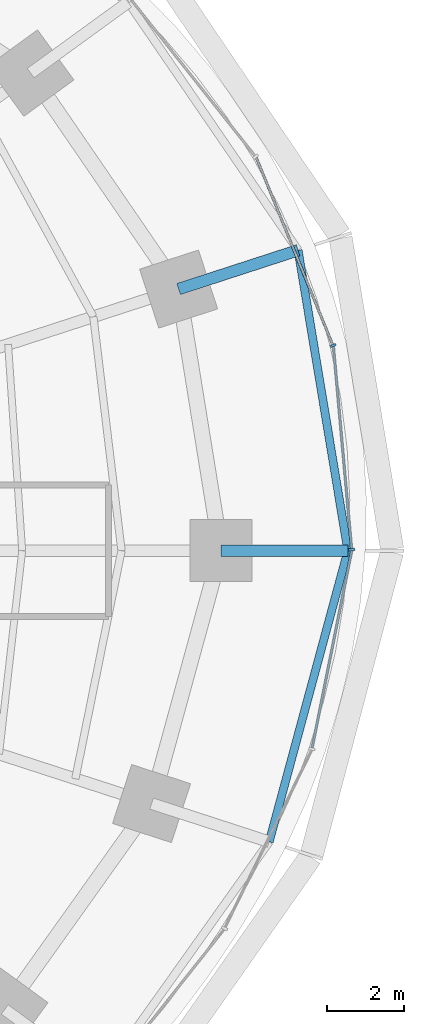
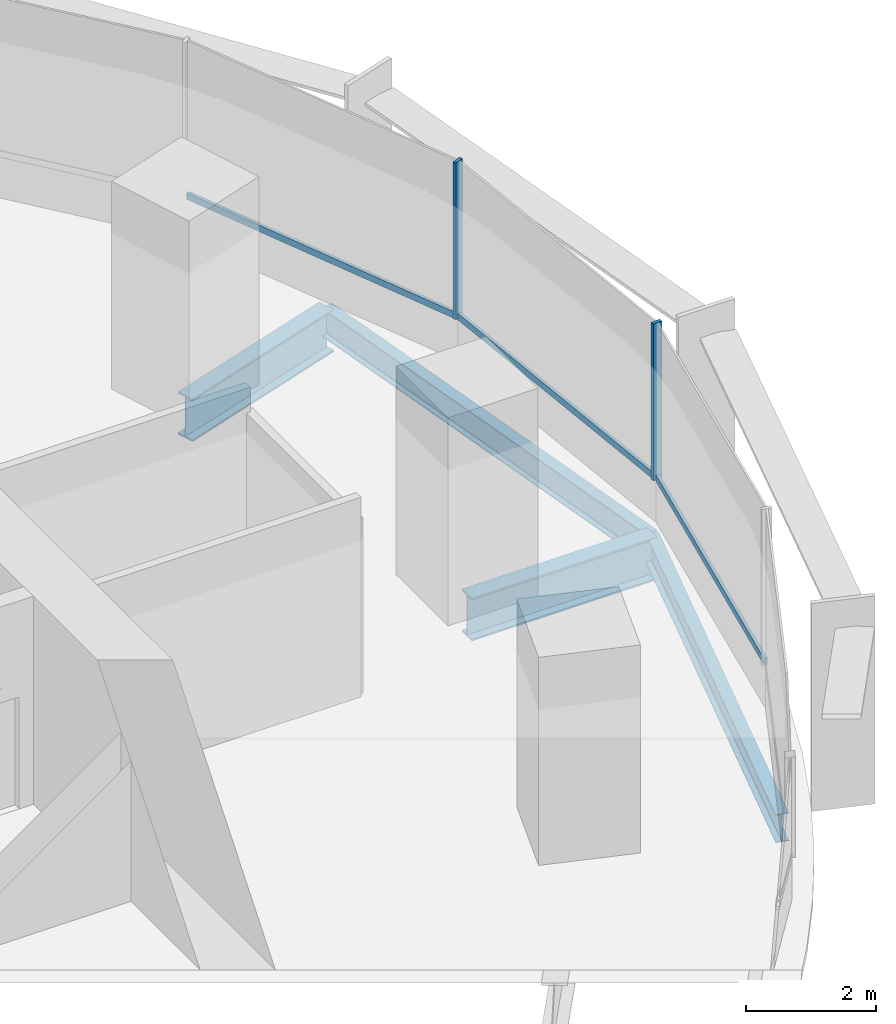
# One storey, part 6 of 14: 5 members, 4 beams, 2 elements without a shape of their own.
"""IFC4 building model written with IfcOpenShell, lengths in metres."""

from ifc_helpers import new_model, si_unit, direction, frame, origin, origin_2d, place, context, subcontext, project, spatial, rectangle, i_section, extrude, material, material_profile, profile_set, type_object, element, aggregate, save


model = new_model("IFC4")

# Units and contexts
model_context = context("Model", 3, precision=1e-05, world=origin(), true_north=direction((0.0, 1.0)))
body_context = subcontext(model_context, "Body", "Model", "MODEL_VIEW")
ifc_project = project(units=[si_unit("LENGTHUNIT", "METRE"), si_unit("AREAUNIT", "SQUARE_METRE"), si_unit("VOLUMEUNIT", "CUBIC_METRE"), si_unit("PLANEANGLEUNIT", "RADIAN"), si_unit("MASSUNIT", "GRAM", prefix="KILO")], contexts=[model_context])

# Site, building, storey
site_placement = place(None, origin())
site = spatial("IfcSite", under=ifc_project, at=site_placement, CompositionType="ELEMENT")
building_placement = place(site_placement, origin())
building = spatial("IfcBuilding", under=site, at=building_placement, Name="Marramba Exchange Tower", CompositionType="ELEMENT")
storey_placement = place(building_placement, frame((0.0, 0.0, 135.300048828125)))
storey = spatial("IfcBuildingStorey", under=building, at=storey_placement, Name="L32", CompositionType="ELEMENT", Elevation=135.300048828125)

# Beams
ifc_material_1 = material(Name="Steel AS/NZS 3679.2 grade 300", Category="steel")
ifc_material_profile_1 = material_profile(ifc_material_1, i_section(OverallWidth=0.300048828125, OverallDepth=0.800048828125, WebThickness=0.013916015625, FlangeThickness=0.031982421875, at=origin_2d()), Name="800WB192")
ifc_profile_set_1 = profile_set([ifc_material_profile_1], Name="Steel AS/NZS 3679.2 grade 300")
beam_type_1 = type_object("IfcBeamType", Name="Cantilever girder 800WB192", PredefinedType="BEAM", material=ifc_profile_set_1)
beam_1_placement = place(storey_placement, frame((21.89990234375, 0.0, -0.56005859375), z_axis=(1.0, 0.0, 0.0), x_axis=(0.0, 1.0, 0.0)))
element("IfcBeam", 1, at=beam_1_placement, inside=storey, type_object=beam_type_1, Name="Cantilever girder L32 TC01", PredefinedType="BEAM", context=body_context, shape_type="SweptSolid", body=[
    extrude(i_section(OverallWidth=0.300048828125, OverallDepth=0.800048828125, WebThickness=0.013916015625, FlangeThickness=0.031982421875, at=origin_2d()), origin(), (0.0, 0.0, 1.0), 3.281982421875),
])
beam_2_placement = place(storey_placement, frame((20.808349609375, 6.760986328125, -0.56005859375), z_axis=(0.95105562578, 0.309019735087, 0.0), x_axis=(-0.309019735087, 0.95105562578, 0.0)))
element("IfcBeam", 2, at=beam_2_placement, inside=storey, type_object=beam_type_1, Name="Cantilever girder L32 TC02", PredefinedType="BEAM", context=body_context, shape_type="SweptSolid", body=[
    extrude(i_section(OverallWidth=0.300048828125, OverallDepth=0.800048828125, WebThickness=0.013916015625, FlangeThickness=0.031982421875, at=origin_2d()), origin(), (0.0, 0.0, 1.0), 3.24560546875),
])

# Curtain wall, members
ifc_material_2 = material(Name="Aluminium framing, bronze anodised", Category="aluminium")
curtain_wall_type = type_object("IfcCurtainWallType", Name="Office ribbon curtain wall", PredefinedType="USERDEFINED", material=ifc_material_2)
curtain_wall_1_placement = place(storey_placement, origin())
curtain_wall_1 = element("IfcCurtainWall", 3, at=curtain_wall_1_placement, inside=storey, type_object=curtain_wall_type, Name="Curtain wall CW4 L32 F01-F05", ObjectType="RIBBON CURTAIN WALL", PredefinedType="USERDEFINED")
ifc_material_3 = material(Name="Aluminium mullion, bronze anodised", Category="aluminium")
ifc_material_profile_2 = material_profile(ifc_material_3, rectangle(XDim=0.159912109375, YDim=0.06005859375, at=origin_2d()), Name="CW4 mullion 60x160")
ifc_profile_set_2 = profile_set([ifc_material_profile_2], Name="Aluminium mullion, bronze anodised")
member_type_1 = type_object("IfcMemberType", Name="Office ribbon curtain wall mullion", PredefinedType="MULLION", material=ifc_profile_set_2)
member_1_placement = place(storey_placement, frame((25.279296875, 0.02978515625, 0.800048828125), z_axis=(0.0, 0.0, 1.0), x_axis=(-0.995994646311, -0.089412887889, 0.0)))
member_1 = element("IfcMember", 4, at=member_1_placement, type_object=member_type_1, Name="CW4 mullion 1", PredefinedType="MULLION", context=body_context, shape_type="SweptSolid", body=[
    extrude(rectangle(XDim=0.159912109375, YDim=0.06005859375, at=origin_2d()), origin(), (0.0, 0.0, 1.0), 2.93994140625),
])
member_2_placement = place(storey_placement, frame((24.79736328125, 5.301025390625, 0.800048828125), z_axis=(0.0, 0.0, 1.0), x_axis=(-0.925878584668, -0.377821183171, 0.0)))
member_2 = element("IfcMember", 5, at=member_2_placement, type_object=member_type_1, Name="CW4 mullion 1", PredefinedType="MULLION", context=body_context, shape_type="SweptSolid", body=[
    extrude(rectangle(XDim=0.159912109375, YDim=0.06005859375, at=origin_2d()), origin(), (0.0, 0.0, 1.0), 2.93994140625),
])
ifc_material_4 = material(Name="Aluminium transom, bronze anodised", Category="aluminium")
ifc_material_profile_3 = material_profile(ifc_material_4, rectangle(XDim=0.06005859375, YDim=0.1201171875, at=origin_2d()), Name="CW4 transom 60x120")
ifc_profile_set_3 = profile_set([ifc_material_profile_3], Name="Aluminium transom, bronze anodised")
member_type_2 = type_object("IfcMemberType", Name="Office ribbon curtain wall transom", PredefinedType="USERDEFINED", material=ifc_profile_set_3)
member_3_placement = place(storey_placement, frame((25.276611328125, 0.059814453125, 0.829833984375), z_axis=(-0.089412838135, 0.995994650777, 0.0), x_axis=(-0.995994650777, -0.089412838135, 0.0)))
member_3 = element("IfcMember", 6, at=member_3_placement, type_object=member_type_2, Name="CW4 sill transom", ObjectType="TRANSOM", PredefinedType="USERDEFINED", context=body_context, shape_type="SweptSolid", body=[
    extrude(rectangle(XDim=0.06005859375, YDim=0.1201171875, at=origin_2d()), origin(), (0.0, 0.0, 1.0), 5.234375),
])
member_4_placement = place(storey_placement, frame((24.785888671875, 5.328857421875, 0.829833984375), z_axis=(-0.377838039034, 0.925871706155, 0.0), x_axis=(-0.925871706155, -0.377838039034, 0.0)))
member_4 = element("IfcMember", 7, at=member_4_placement, type_object=member_type_2, Name="CW4 sill transom", ObjectType="TRANSOM", PredefinedType="USERDEFINED", context=body_context, shape_type="SweptSolid", body=[
    extrude(rectangle(XDim=0.06005859375, YDim=0.1201171875, at=origin_2d()), origin(), (0.0, 0.0, 1.0), 5.2158203125),
])
aggregate(curtain_wall_1, [member_1, member_3, member_2, member_4])

# Curtain wall, member
curtain_wall_2_placement = place(storey_placement, origin())
curtain_wall_2 = element("IfcCurtainWall", 8, at=curtain_wall_2_placement, inside=storey, type_object=curtain_wall_type, Name="Curtain wall CW4 L32 F26-F30", ObjectType="RIBBON CURTAIN WALL", PredefinedType="USERDEFINED")
member_5_placement = place(storey_placement, frame((24.258056640625, -5.094970703125, 0.829833984375), z_axis=(0.197028520451, 0.980397757101, 0.0), x_axis=(-0.980397757101, 0.197028520451, 0.0)))
member_5 = element("IfcMember", 9, at=member_5_placement, type_object=member_type_2, Name="CW4 sill transom", ObjectType="TRANSOM", PredefinedType="USERDEFINED", context=body_context, shape_type="SweptSolid", body=[
    extrude(rectangle(XDim=0.06005859375, YDim=0.1201171875, at=origin_2d()), origin(), (0.0, 0.0, 1.0), 5.19677734375),
])
aggregate(curtain_wall_2, [member_5])

# Beams
ifc_material_5 = material(Name="Steel AS/NZS 3679.1 grade 300", Category="steel")
ifc_material_profile_4 = material_profile(ifc_material_5, i_section(OverallWidth=0.208984375, OverallDepth=0.528076171875, WebThickness=0.009521484375, FlangeThickness=0.01318359375, FilletRadius=0.013916015625, at=origin_2d()), Name="530UB82.0")
ifc_profile_set_4 = profile_set([ifc_material_profile_4], Name="Steel AS/NZS 3679.1 grade 300")
beam_type_2 = type_object("IfcBeamType", Name="Slab edge beam 530UB82.0", PredefinedType="SPANDREL", material=ifc_profile_set_4)
beam_3_placement = place(storey_placement, frame((25.181884765625, 0.0, -0.424072265625), z_axis=(-0.163518559175, 0.986540258076, 0.0), x_axis=(-0.986540258076, -0.163518559175, 0.0)))
element("IfcBeam", 10, at=beam_3_placement, inside=storey, type_object=beam_type_2, Name="Slab edge beam L32 TC01-TC02", PredefinedType="SPANDREL", context=body_context, shape_type="SweptSolid", body=[
    extrude(i_section(OverallWidth=0.208984375, OverallDepth=0.528076171875, WebThickness=0.009521484375, FlangeThickness=0.01318359375, FilletRadius=0.013916015625, at=origin_2d()), origin(), (0.0, 0.0, 1.0), 7.869873046875),
])
beam_4_placement = place(storey_placement, frame((23.148681640625, -7.521484375, -0.424072265625), z_axis=(0.260953221575, 0.965351446961, 0.0), x_axis=(-0.965351446961, 0.260953221575, 0.0)))
element("IfcBeam", 11, at=beam_4_placement, inside=storey, type_object=beam_type_2, Name="Slab edge beam L32 TC20-TC01", PredefinedType="SPANDREL", context=body_context, shape_type="SweptSolid", body=[
    extrude(i_section(OverallWidth=0.208984375, OverallDepth=0.528076171875, WebThickness=0.009521484375, FlangeThickness=0.01318359375, FilletRadius=0.013916015625, at=origin_2d()), origin(), (0.0, 0.0, 1.0), 7.79150390625),
])

save(model, "model.ifc")
